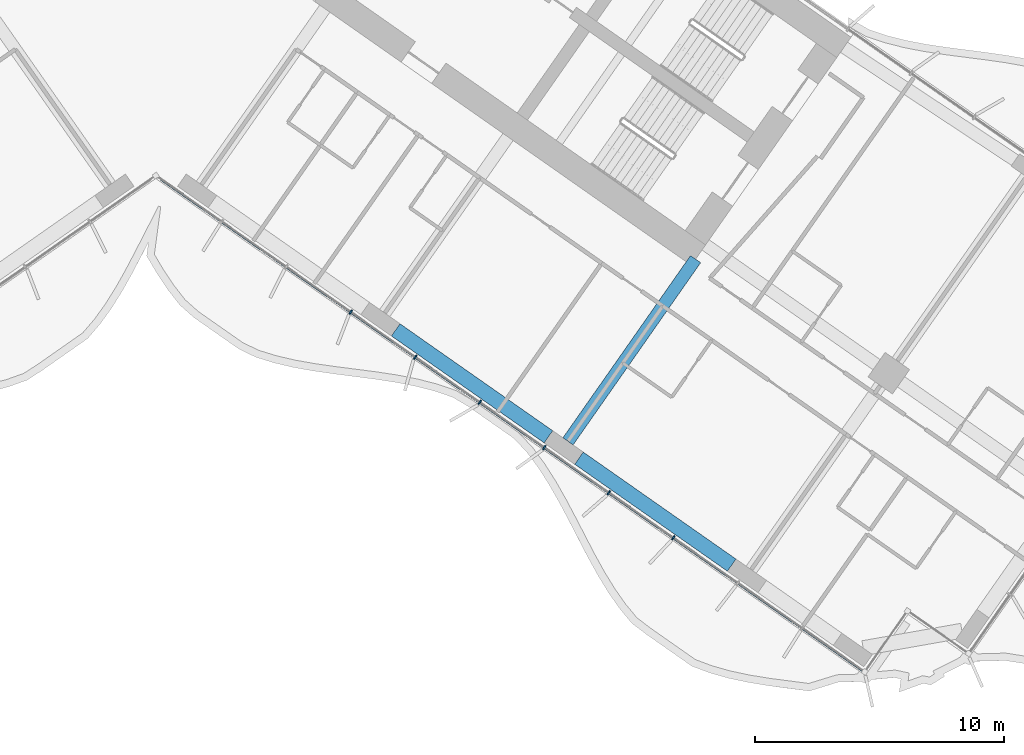
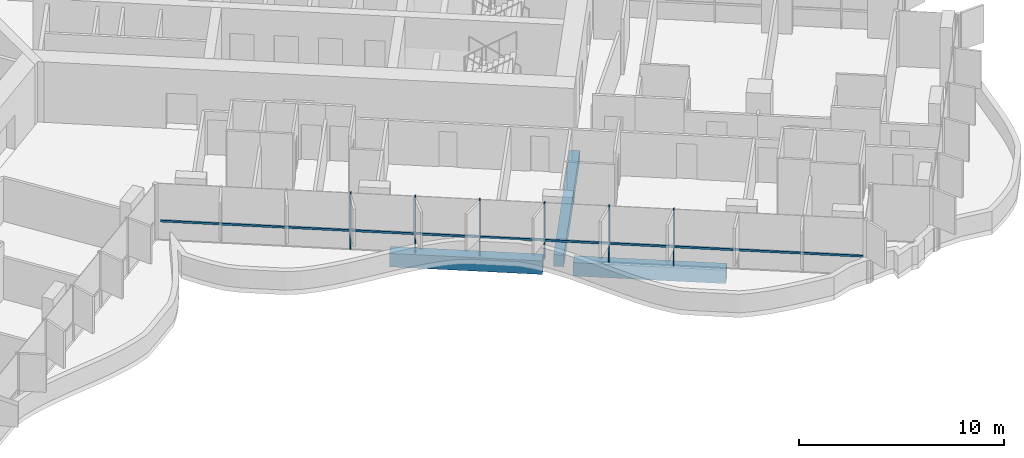
# One storey, part 5 of 23: 7 members, 3 beams, 1 element without a shape of its own.
"""IFC4 building model written with IfcOpenShell, lengths in metres."""

from ifc_helpers import new_model, si_unit, direction, frame, origin, origin_2d, place, context, subcontext, project, spatial, rectangle, extrude, material, material_profile, profile_set, type_object, element, aggregate, save


model = new_model("IFC4")

# Units and contexts
model_context = context("Model", 3, precision=1e-05, world=origin(), true_north=direction((0.0, 1.0)))
body_context = subcontext(model_context, "Body", "Model", "MODEL_VIEW")
ifc_project = project(units=[si_unit("LENGTHUNIT", "METRE"), si_unit("AREAUNIT", "SQUARE_METRE"), si_unit("VOLUMEUNIT", "CUBIC_METRE"), si_unit("PLANEANGLEUNIT", "RADIAN"), si_unit("MASSUNIT", "GRAM", prefix="KILO")], contexts=[model_context])

# Site, building, storey
site_placement = place(None, origin())
site = spatial("IfcSite", under=ifc_project, at=site_placement, CompositionType="ELEMENT")
building_placement = place(site_placement, origin())
building = spatial("IfcBuilding", under=site, at=building_placement, Name="Tel Ilan Convention Tower", CompositionType="ELEMENT")
storey_placement = place(building_placement, frame((0.0, 0.0, 112.10009765625)))
storey = spatial("IfcBuildingStorey", under=building, at=storey_placement, Name="L24", CompositionType="ELEMENT", Elevation=112.10009765625)

# Beams
ifc_material_1 = material(Name="Concrete C40/50", Category="concrete")
ifc_material_profile_1 = material_profile(ifc_material_1, rectangle(XDim=0.5, YDim=0.699951171875, at=origin_2d()), Name="RC 500x700")
ifc_profile_set_1 = profile_set([ifc_material_profile_1], Name="Concrete C40/50")
beam_type_1 = type_object("IfcBeamType", Name="Beam RC 500x700 Concrete C40/50", PredefinedType="BEAM", material=ifc_profile_set_1)
beam_placement = place(storey_placement, frame((16.58203125, -23.391357421875, -0.630126953125), z_axis=(0.573584999642, 0.819146048141, 0.0), x_axis=(-0.819146048141, 0.573584999642, 0.0)))
element("IfcBeam", 1, at=beam_placement, inside=storey, type_object=beam_type_1, Name="L24 beam E-E-F3-core", PredefinedType="BEAM", context=body_context, shape_type="SweptSolid", body=[
    extrude(rectangle(XDim=0.5, YDim=0.699951171875, at=origin_2d()), origin(), (0.0, 0.0, 1.0), 8.949951171875),
])
ifc_material_2 = material(Name="Concrete C40/50", Category="concrete")
ifc_material_profile_2 = material_profile(ifc_material_2, rectangle(XDim=0.60009765625, YDim=0.800048828125, at=origin_2d()), Name="RC 600x800")
ifc_profile_set_2 = profile_set([ifc_material_profile_2], Name="Concrete C40/50")
beam_type_2 = type_object("IfcBeamType", Name="Beam RC 600x800 Concrete C40/50", PredefinedType="BEAM", material=ifc_profile_set_2)
for number, where, z_axis, x_axis, name in (
    (2, (9.652099609375, -18.905029296875, -0.68017578125), (0.81915238829, -0.573575945067, 0.0), (0.573575945067, 0.81915238829, 0.0), "L24 beam E-E-F2-E-F3"),
    (3, (17.0244140625, -24.0673828125, -0.68017578125), (0.81915238829, -0.573575945067, 0.0), (0.573575945067, 0.81915238829, 0.0), "L24 beam E-E-F3-E-F4"),
):
    element("IfcBeam", number, at=place(storey_placement, frame(where, z_axis=z_axis, x_axis=x_axis)), inside=storey, type_object=beam_type_2, Name=name, PredefinedType="BEAM", context=body_context, shape_type="SweptSolid", body=[
        extrude(rectangle(XDim=0.60009765625, YDim=0.800048828125, at=origin_2d()), origin(), (0.0, 0.0, 1.0), 7.5),
    ])

# Curtain wall, members
ifc_material_3 = material(Name="Aluminium, bronze anodised", Category="aluminium")
curtain_wall_type = type_object("IfcCurtainWallType", Name="CW1 UNITISED CURTAIN WALL, HOTEL TINTED GLASS", PredefinedType="NOTDEFINED", material=ifc_material_3)
curtain_wall_placement = place(storey_placement, origin())
curtain_wall = element("IfcCurtainWall", 4, at=curtain_wall_placement, inside=storey, type_object=curtain_wall_type, Name="Curtain wall CW1-20.02", PredefinedType="NOTDEFINED")
ifc_material_4 = material(Name="Aluminium, bronze anodised", Category="aluminium")
ifc_material_profile_3 = material_profile(ifc_material_4, rectangle(XDim=0.06005859375, YDim=0.199951171875, at=origin_2d()), Name="CW MULLION 60x200")
ifc_profile_set_3 = profile_set([ifc_material_profile_3], Name="Aluminium, bronze anodised")
member_type_1 = type_object("IfcMemberType", Name="CW MULLION 60x200", PredefinedType="MULLION", material=ifc_profile_set_3)
member_1_placement = place(storey_placement, frame((7.842529296875, -18.1875, 0.0), z_axis=(0.0, 0.0, 1.0), x_axis=(0.819152044289, -0.573576436351, 0.0)))
member_1 = element("IfcMember", 5, at=member_1_placement, type_object=member_type_1, Name="Mullion", PredefinedType="MULLION", context=body_context, shape_type="SweptSolid", body=[
    extrude(rectangle(XDim=0.06005859375, YDim=0.199951171875, at=origin_2d()), origin(), (0.0, 0.0, 1.0), 3.31982421875),
])
member_2_placement = place(storey_placement, frame((10.4375, -20.004638671875, 0.0), z_axis=(0.0, 0.0, 1.0), x_axis=(0.819152044289, -0.573576436351, 0.0)))
member_2 = element("IfcMember", 6, at=member_2_placement, type_object=member_type_1, Name="Mullion", PredefinedType="MULLION", context=body_context, shape_type="SweptSolid", body=[
    extrude(rectangle(XDim=0.06005859375, YDim=0.199951171875, at=origin_2d()), origin(), (0.0, 0.0, 1.0), 3.31982421875),
])
member_3_placement = place(storey_placement, frame((13.03271484375, -21.821533203125, 0.0), z_axis=(0.0, 0.0, 1.0), x_axis=(0.819152044289, -0.573576436351, 0.0)))
member_3 = element("IfcMember", 7, at=member_3_placement, type_object=member_type_1, Name="Mullion", PredefinedType="MULLION", context=body_context, shape_type="SweptSolid", body=[
    extrude(rectangle(XDim=0.06005859375, YDim=0.199951171875, at=origin_2d()), origin(), (0.0, 0.0, 1.0), 3.31982421875),
])
member_4_placement = place(storey_placement, frame((15.627685546875, -23.638671875, 0.0), z_axis=(0.0, 0.0, 1.0), x_axis=(0.819152044289, -0.573576436351, 0.0)))
member_4 = element("IfcMember", 8, at=member_4_placement, type_object=member_type_1, Name="Mullion", PredefinedType="MULLION", context=body_context, shape_type="SweptSolid", body=[
    extrude(rectangle(XDim=0.06005859375, YDim=0.199951171875, at=origin_2d()), origin(), (0.0, 0.0, 1.0), 3.31982421875),
])
member_5_placement = place(storey_placement, frame((18.222900390625, -25.455810546875, 0.0), z_axis=(0.0, 0.0, 1.0), x_axis=(0.819152044289, -0.573576436351, 0.0)))
member_5 = element("IfcMember", 9, at=member_5_placement, type_object=member_type_1, Name="Mullion", PredefinedType="MULLION", context=body_context, shape_type="SweptSolid", body=[
    extrude(rectangle(XDim=0.06005859375, YDim=0.199951171875, at=origin_2d()), origin(), (0.0, 0.0, 1.0), 3.31982421875),
])
member_6_placement = place(storey_placement, frame((20.81787109375, -27.27294921875, 0.0), z_axis=(0.0, 0.0, 1.0), x_axis=(0.819152044289, -0.573576436351, 0.0)))
member_6 = element("IfcMember", 10, at=member_6_placement, type_object=member_type_1, Name="Mullion", PredefinedType="MULLION", context=body_context, shape_type="SweptSolid", body=[
    extrude(rectangle(XDim=0.06005859375, YDim=0.199951171875, at=origin_2d()), origin(), (0.0, 0.0, 1.0), 3.31982421875),
])
ifc_material_5 = material(Name="Aluminium, bronze anodised", Category="aluminium")
ifc_material_profile_4 = material_profile(ifc_material_5, rectangle(XDim=0.10009765625, YDim=0.1201171875, at=origin_2d()), Name="CW TRANSOM 100x120")
ifc_profile_set_4 = profile_set([ifc_material_profile_4], Name="Aluminium, bronze anodised")
member_type_2 = type_object("IfcMemberType", Name="CW TRANSOM 100x120", PredefinedType="USERDEFINED", material=ifc_profile_set_4)
member_7_placement = place(storey_placement, frame((0.22119140625, -12.850830078125, 1.099853515625), z_axis=(0.819151003602, -0.573577922604, 0.0), x_axis=(0.573577922604, 0.819151003602, 0.0)))
member_7 = element("IfcMember", 11, at=member_7_placement, type_object=member_type_2, Name="Transom", ObjectType="TRANSOM", PredefinedType="USERDEFINED", context=body_context, shape_type="SweptSolid", body=[
    extrude(rectangle(XDim=0.10009765625, YDim=0.1201171875, at=origin_2d()), origin(), (0.0, 0.0, 1.0), 34.447998046875),
])
aggregate(curtain_wall, [member_1, member_2, member_3, member_4, member_5, member_6, member_7])

save(model, "model.ifc")
